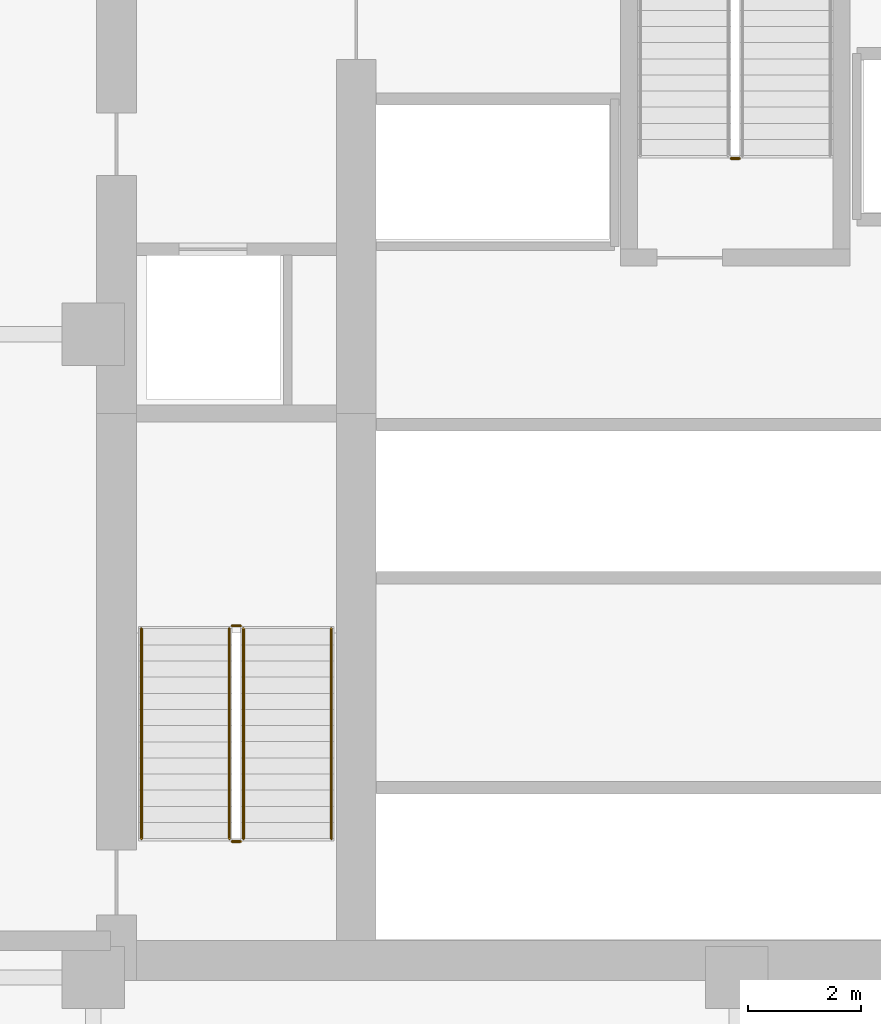
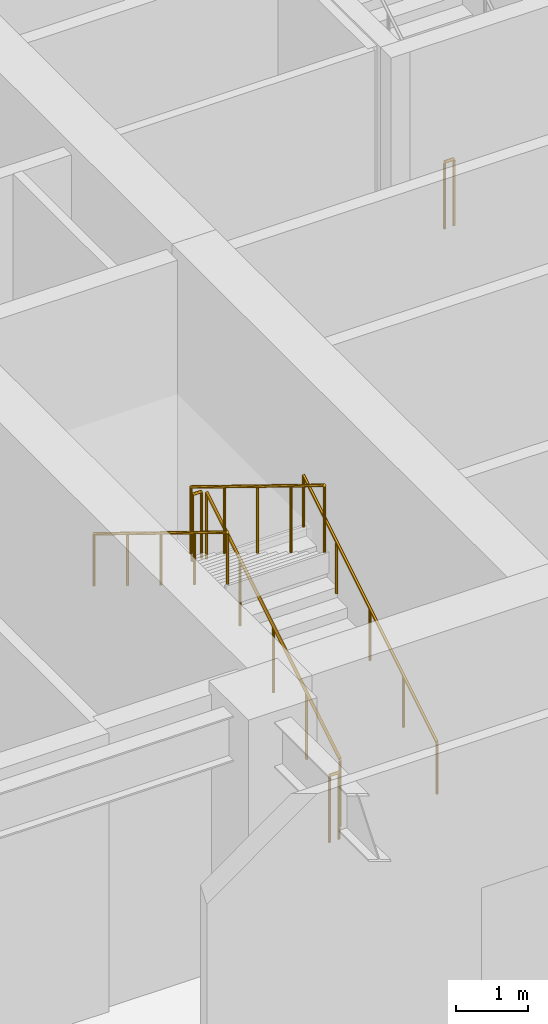
# One storey, part 7 of 11: 7 railings.
"""IFC4 building model written with IfcOpenShell, lengths in metres."""

import ifcopenshell
import ifcopenshell.guid

model = None  # the IFC model being written
_history = None  # IfcOwnerHistory: only IFC2X3 demands one
_inside = {}  # id of a spatial element -> (the spatial element, [elements in it])
_under = {}  # id of a project, library or spatial element -> (it, [spatial elements below it])
_declared = {}  # id of a project -> (the project, [libraries it declares])
_typed = {}  # id of a type object -> (the type object, [elements of that type])
_made_of = {}  # id of a material, layer set ... -> (it, [elements and type objects made of it])


def new_model(schema):
    """Start an empty IFC model of exactly this schema.

    Asked for "IFC4X3", IfcOpenShell would pick the latest addendum, in which some entities
    have other attributes; the version numbers below select the first issue.
    IFC2X3 requires an IfcOwnerHistory on every rooted entity: one is made here for all.
    """
    global model, _history
    if schema == "IFC4X3":
        model = ifcopenshell.file(schema_version=(4, 3, 0, 0))
    else:
        model = ifcopenshell.file(schema=schema)
    _inside.clear()
    _under.clear()
    _declared.clear()
    _typed.clear()
    _made_of.clear()
    _history = None
    if model.schema == "IFC2X3":
        org = make("IfcOrganization", Name="unknown")
        user = make(
            "IfcPersonAndOrganization",
            ThePerson=make("IfcPerson", FamilyName="unknown"),
            TheOrganization=org,
        )
        app = make(
            "IfcApplication",
            ApplicationDeveloper=org,
            Version="unknown",
            ApplicationFullName="unknown",
            ApplicationIdentifier="unknown",
        )
        _history = make(
            "IfcOwnerHistory",
            OwningUser=user,
            OwningApplication=app,
            ChangeAction="ADDED",
            CreationDate=0,
        )
    return model


def make(cls, **values):
    """One entity of the class cls with the attributes given. An attribute that is None is left unset."""
    return model.create_entity(
        cls, **{name: value for name, value in values.items() if value is not None}
    )


def rooted(cls, **values):
    """An entity with a GlobalId (a new one), such as an element, a storey or a relation."""
    return make(cls, GlobalId=ifcopenshell.guid.new(), OwnerHistory=_history, **values)


def si_unit(unit_type, name, prefix=None):
    """IfcSIUnit, for example si_unit("LENGTHUNIT", "METRE", prefix="MILLI")."""
    return make("IfcSIUnit", UnitType=unit_type, Prefix=prefix, Name=name)


def assignment(units):
    """IfcUnitAssignment: the units of a project."""
    return None if units is None else make("IfcUnitAssignment", Units=units)


def point(xyz):
    """IfcCartesianPoint."""
    return None if xyz is None else make("IfcCartesianPoint", Coordinates=xyz)


def direction(xyz):
    """IfcDirection."""
    return None if xyz is None else make("IfcDirection", DirectionRatios=xyz)


def frame(location, z_axis=None, x_axis=None):
    """IfcAxis2Placement3D, a coordinate frame: its origin and axes. An axis left out is left unset."""
    return make(
        "IfcAxis2Placement3D",
        Location=point(location),
        Axis=direction(z_axis),
        RefDirection=direction(x_axis),
    )


def frame_2d(location, x_axis=None):
    """IfcAxis2Placement2D, a coordinate frame in the plane: its origin and x axis."""
    return make(
        "IfcAxis2Placement2D", Location=point(location), RefDirection=direction(x_axis)
    )


def origin():
    """The frame at (0, 0, 0) with its axes left unset."""
    return frame((0.0, 0.0, 0.0))


def origin_2d():
    """The frame at (0, 0) in the plane with its x axis left unset."""
    return frame_2d((0.0, 0.0))


def place(relative_to, where):
    """IfcLocalPlacement: puts the frame where relative to a parent placement (None: the world)."""
    return make(
        "IfcLocalPlacement", PlacementRelTo=relative_to, RelativePlacement=where
    )


def context(
    kind, dimensions, precision=None, world=None, true_north=None, identifier=None
):
    """IfcGeometricRepresentationContext, for example the 3D "Model" context."""
    return make(
        "IfcGeometricRepresentationContext",
        ContextIdentifier=identifier,
        ContextType=kind,
        CoordinateSpaceDimension=dimensions,
        Precision=precision,
        WorldCoordinateSystem=world,
        TrueNorth=true_north,
    )


def subcontext(parent, identifier, kind, view, scale=None):
    """IfcGeometricRepresentationSubContext, for example "Body" below "Model"."""
    return make(
        "IfcGeometricRepresentationSubContext",
        ContextIdentifier=identifier,
        ContextType=kind,
        ParentContext=parent,
        TargetScale=scale,
        TargetView=view,
    )


def project(units=None, contexts=None):
    """IfcProject with its units and contexts."""
    return rooted(
        "IfcProject",
        Name="project",
        RepresentationContexts=contexts,
        UnitsInContext=assignment(units),
    )


def spatial(cls, under=None, at=None, **own):
    """A site, building, storey or space (cls), placed at a placement, below another one or the project."""
    s = rooted(cls, ObjectPlacement=at, **own)
    if under is not None:
        _under.setdefault(under.id(), (under, []))[1].append(s)
    return s


def profile(cls, at=None, kind="AREA", **sizes):
    """A parametric profile (cls). Its sizes go by their IFC names, for example OverallWidth=200.0."""
    return make(cls, ProfileType=kind, Position=at, **sizes)


def circle(**sizes):
    """IfcCircleProfileDef."""
    return profile("IfcCircleProfileDef", **sizes)


def extrude(swept, where, along, depth):
    """IfcExtrudedAreaSolid: the profile swept, set in the frame where, extruded along a direction by depth."""
    return make(
        "IfcExtrudedAreaSolid",
        SweptArea=swept,
        Position=where,
        ExtrudedDirection=direction(along),
        Depth=depth,
    )


def shape(context_of_items, identifier, shape_type, items):
    """IfcShapeRepresentation: the items that make up one representation, for example the "Body"."""
    return make(
        "IfcShapeRepresentation",
        ContextOfItems=context_of_items,
        RepresentationIdentifier=identifier,
        RepresentationType=shape_type,
        Items=items,
    )


def material(Name=None, Category=None):
    """IfcMaterial."""
    return make("IfcMaterial", Name=Name, Category=Category)


def made_of(thing, what):
    """Note that an element or type object is made of a material, layer set ...; save() writes the relation."""
    if what is not None:
        _made_of.setdefault(what.id(), (what, []))[1].append(thing)
    return thing


def type_object(cls, material=None, **own):
    """A type object (cls), such as IfcWallType, which elements share."""
    return made_of(rooted(cls, **own), material)


def element(
    cls,
    number,
    at=None,
    inside=None,
    cuts=None,
    type_object=None,
    material=None,
    context=None,
    identifier="Body",
    shape_type=None,
    held_by="IfcProductDefinitionShape",
    body=None,
    shapes=None,
    **own,
):
    """One element of the class cls, such as IfcWall. Its Tag is "e" and its number.

    at: its placement. inside: the storey or other place that contains it. cuts: it is an
    opening in that element (IfcRelVoidsElement). A single representation is given by context,
    identifier, shape_type and body (its items); several are given by shapes. held_by: the class
    of the entity that holds the representations. save() writes the other relations.
    """
    e = rooted(cls, Tag="e%d" % number, ObjectPlacement=at, **own)
    if body is not None:
        shapes = [shape(context, identifier, shape_type, body)]
    if shapes is not None:
        e.Representation = make(held_by, Representations=shapes)
    if inside is not None:
        _inside.setdefault(inside.id(), (inside, []))[1].append(e)
    if cuts is not None:
        rooted(
            "IfcRelVoidsElement", RelatingBuildingElement=cuts, RelatedOpeningElement=e
        )
    if type_object is not None:
        _typed.setdefault(type_object.id(), (type_object, []))[1].append(e)
    return made_of(e, material)


def aggregate(whole, parts):
    """IfcRelAggregates: a whole, such as a stair, and the parts it consists of."""
    return rooted("IfcRelAggregates", RelatingObject=whole, RelatedObjects=parts)


def save(model, path):
    """Write the relations noted so far, then the file.

    IfcRelAggregates (storeys below a building ...), IfcRelContainedInSpatialStructure (elements
    in a storey), IfcRelDefinesByType, IfcRelAssociatesMaterial and IfcRelDeclares: one each for
    every whole, place, type object, material and project.
    """
    for whole, parts in _under.values():
        aggregate(whole, parts)
    for where, things in _inside.values():
        rooted(
            "IfcRelContainedInSpatialStructure",
            RelatedElements=things,
            RelatingStructure=where,
        )
    for kind, things in _typed.values():
        rooted("IfcRelDefinesByType", RelatedObjects=things, RelatingType=kind)
    for what, things in _made_of.values():
        rooted("IfcRelAssociatesMaterial", RelatedObjects=things, RelatingMaterial=what)
    for by, libraries in _declared.values():
        rooted("IfcRelDeclares", RelatingContext=by, RelatedDefinitions=libraries)
    model.write(path)


model = new_model("IFC4")

# Units and contexts
model_context = context("Model", 3, precision=1e-05, world=origin(), true_north=direction((0.0, 1.0)))
body_context = subcontext(model_context, "Body", "Model", "MODEL_VIEW")
ifc_project = project(units=[si_unit("LENGTHUNIT", "METRE"), si_unit("AREAUNIT", "SQUARE_METRE"), si_unit("VOLUMEUNIT", "CUBIC_METRE"), si_unit("PLANEANGLEUNIT", "RADIAN"), si_unit("MASSUNIT", "GRAM", prefix="KILO")], contexts=[model_context])

# Site, building, storey
site_placement = place(None, origin())
site = spatial("IfcSite", under=ifc_project, at=site_placement, CompositionType="ELEMENT")
building_placement = place(site_placement, origin())
building = spatial("IfcBuilding", under=site, at=building_placement, Name="Nhamokura Convention Tower", CompositionType="ELEMENT")
storey_placement = place(building_placement, frame((0.0, 0.0, 77.35009765625)))
storey = spatial("IfcBuildingStorey", under=building, at=storey_placement, Name="L18", CompositionType="ELEMENT", Elevation=77.35009765625)

# Railings
ifc_material_1 = material(Name="Anodised bronze stainless steel", Category="steel")
railing_type_1 = type_object("IfcRailingType", Name="StairWallHandrail_900", PredefinedType="HANDRAIL", material=ifc_material_1)
railing_1_placement = place(storey_placement, frame((24.85009765625, 23.10009765625, 0.1748046875)))
element("IfcRailing", 1, at=railing_1_placement, inside=storey, type_object=railing_type_1, Name="L18 ST-01 stair handrail 1", PredefinedType="HANDRAIL", context=body_context, shape_type="SweptSolid", body=[
    extrude(circle(Radius=0.02392578125, at=origin_2d()), frame((0.0, 0.0, 0.8759765625), z_axis=(0.0, 0.852145745541, 0.523304527361), x_axis=(-1.0, 0.0, 0.0)), (0.0, 0.0, 1.0), 4.34765625),
    extrude(circle(Radius=0.02099609375, at=origin_2d()), origin(), (0.0, 0.0, 1.0), 0.851806640625),
    extrude(circle(Radius=0.02099609375, at=origin_2d()), frame((0.0, 0.92626953125, 0.56884765625)), (0.0, 0.0, 1.0), 0.851806640625),
    extrude(circle(Radius=0.02099609375, at=origin_2d()), frame((0.0, 1.8525390625, 1.1376953125)), (0.0, 0.0, 1.0), 0.851806640625),
    extrude(circle(Radius=0.02099609375, at=origin_2d()), frame((0.0, 2.778564453125, 1.706298828125)), (0.0, 0.0, 1.0), 0.851806640625),
    extrude(circle(Radius=0.02099609375, at=origin_2d()), frame((0.0, 3.704833984375, 2.275146484375)), (0.0, 0.0, 1.0), 0.851806640625),
])
railing_2_placement = place(storey_placement, frame((21.5, 26.804931640625, 2.625)))
element("IfcRailing", 2, at=railing_2_placement, inside=storey, type_object=railing_type_1, Name="L18 ST-01 stair handrail 2", PredefinedType="HANDRAIL", context=body_context, shape_type="SweptSolid", body=[
    extrude(circle(Radius=0.02392578125, at=origin_2d()), frame((0.0, 0.0, 0.8759765625), z_axis=(0.0, -0.85217078641, 0.523263748782), x_axis=(1.0, 0.0, 0.0)), (0.0, 0.0, 1.0), 4.347412109375),
    extrude(circle(Radius=0.02099609375, at=origin_2d()), origin(), (0.0, 0.0, 1.0), 0.851806640625),
    extrude(circle(Radius=0.02099609375, at=origin_2d()), frame((0.0, -0.92626953125, 0.56884765625)), (0.0, 0.0, 1.0), 0.851806640625),
    extrude(circle(Radius=0.02099609375, at=origin_2d()), frame((0.0, -1.8525390625, 1.137451171875)), (0.0, 0.0, 1.0), 0.851806640625),
    extrude(circle(Radius=0.02099609375, at=origin_2d()), frame((0.0, -2.778564453125, 1.7060546875)), (0.0, 0.0, 1.0), 0.851806640625),
    extrude(circle(Radius=0.02099609375, at=origin_2d()), frame((0.0, -3.704833984375, 2.27490234375)), (0.0, 0.0, 1.0), 0.851806640625),
])
ifc_material_2 = material(Name="Painted tubular steel", Category="steel")
railing_type_2 = type_object("IfcRailingType", Name="StairWellGuardrail_1150", PredefinedType="GUARDRAIL", material=ifc_material_2)
railing_3_placement = place(storey_placement, frame((23.300048828125, 23.10009765625, 0.1748046875)))
element("IfcRailing", 3, at=railing_3_placement, inside=storey, type_object=railing_type_2, Name="L18 ST-01 stair guard 1", PredefinedType="GUARDRAIL", context=body_context, shape_type="SweptSolid", body=[
    extrude(circle(Radius=0.02392578125, at=origin_2d()), frame((0.0, 0.0, 1.1259765625), z_axis=(0.0, 0.852145745541, 0.523304527361), x_axis=(-1.0, 0.0, 0.0)), (0.0, 0.0, 1.0), 4.34765625),
    extrude(circle(Radius=0.02099609375, at=origin_2d()), origin(), (0.0, 0.0, 1.0), 1.101806640625),
    extrude(circle(Radius=0.02099609375, at=origin_2d()), frame((0.0, 0.92626953125, 0.56884765625)), (0.0, 0.0, 1.0), 1.101806640625),
    extrude(circle(Radius=0.02099609375, at=origin_2d()), frame((0.0, 1.8525390625, 1.1376953125)), (0.0, 0.0, 1.0), 1.101806640625),
    extrude(circle(Radius=0.02099609375, at=origin_2d()), frame((0.0, 2.778564453125, 1.706298828125)), (0.0, 0.0, 1.0), 1.101806640625),
    extrude(circle(Radius=0.02099609375, at=origin_2d()), frame((0.0, 3.704833984375, 2.275146484375)), (0.0, 0.0, 1.0), 1.101806640625),
])
railing_4_placement = place(storey_placement, frame((23.25, 26.85498046875, 2.449951171875)))
element("IfcRailing", 4, at=railing_4_placement, inside=storey, type_object=railing_type_2, Name="L18 ST-01 stair guard 2", PredefinedType="GUARDRAIL", context=body_context, shape_type="SweptSolid", body=[
    extrude(circle(Radius=0.02392578125, at=origin_2d()), frame((0.0, 0.0, 1.1259765625), z_axis=(-1.0, 0.0, 0.0), x_axis=(0.0, -1.0, 0.0)), (0.0, 0.0, 1.0), 0.14990234375),
    extrude(circle(Radius=0.02099609375, at=origin_2d()), origin(), (0.0, 0.0, 1.0), 1.101806640625),
    extrude(circle(Radius=0.02099609375, at=origin_2d()), frame((-0.14990234375, 0.0, 0.0)), (0.0, 0.0, 1.0), 1.101806640625),
])
railing_5_placement = place(storey_placement, frame((23.050048828125, 26.804931640625, 2.625)))
element("IfcRailing", 5, at=railing_5_placement, inside=storey, type_object=railing_type_2, Name="L18 ST-01 stair guard 3", PredefinedType="GUARDRAIL", context=body_context, shape_type="SweptSolid", body=[
    extrude(circle(Radius=0.02392578125, at=origin_2d()), frame((0.0, 0.0, 1.1259765625), z_axis=(0.0, -0.85217078641, 0.523263748782), x_axis=(1.0, 0.0, 0.0)), (0.0, 0.0, 1.0), 4.347412109375),
    extrude(circle(Radius=0.02099609375, at=origin_2d()), origin(), (0.0, 0.0, 1.0), 1.101806640625),
    extrude(circle(Radius=0.02099609375, at=origin_2d()), frame((0.0, -0.92626953125, 0.56884765625)), (0.0, 0.0, 1.0), 1.101806640625),
    extrude(circle(Radius=0.02099609375, at=origin_2d()), frame((0.0, -1.8525390625, 1.137451171875)), (0.0, 0.0, 1.0), 1.101806640625),
    extrude(circle(Radius=0.02099609375, at=origin_2d()), frame((0.0, -2.778564453125, 1.7060546875)), (0.0, 0.0, 1.0), 1.101806640625),
    extrude(circle(Radius=0.02099609375, at=origin_2d()), frame((0.0, -3.704833984375, 2.27490234375)), (0.0, 0.0, 1.0), 1.101806640625),
])
railing_6_placement = place(storey_placement, frame((23.25, 23.050048828125, 0.0)))
element("IfcRailing", 6, at=railing_6_placement, inside=storey, type_object=railing_type_2, Name="L18 ST-01 stair guard 4", PredefinedType="GUARDRAIL", context=body_context, shape_type="SweptSolid", body=[
    extrude(circle(Radius=0.02392578125, at=origin_2d()), frame((0.0, 0.0, 1.1259765625), z_axis=(-1.0, 0.0, 0.0), x_axis=(0.0, -1.0, 0.0)), (0.0, 0.0, 1.0), 0.14990234375),
    extrude(circle(Radius=0.02099609375, at=origin_2d()), origin(), (0.0, 0.0, 1.0), 1.101806640625),
    extrude(circle(Radius=0.02099609375, at=origin_2d()), frame((-0.14990234375, 0.0, 0.0)), (0.0, 0.0, 1.0), 1.101806640625),
])
railing_7_placement = place(storey_placement, frame((32.050048828125, 35.10009765625, 0.0)))
element("IfcRailing", 7, at=railing_7_placement, inside=storey, type_object=railing_type_2, Name="L18 ST-03 stair guard 4", PredefinedType="GUARDRAIL", context=body_context, shape_type="SweptSolid", body=[
    extrude(circle(Radius=0.02392578125, at=origin_2d()), frame((0.0, 0.0, 1.1259765625), z_axis=(-1.0, 0.0, 0.0), x_axis=(0.0, -1.0, 0.0)), (0.0, 0.0, 1.0), 0.150146484375),
    extrude(circle(Radius=0.02099609375, at=origin_2d()), origin(), (0.0, 0.0, 1.0), 1.101806640625),
    extrude(circle(Radius=0.02099609375, at=origin_2d()), frame((-0.150146484375, 0.0, 0.0)), (0.0, 0.0, 1.0), 1.101806640625),
])

save(model, "model.ifc")
